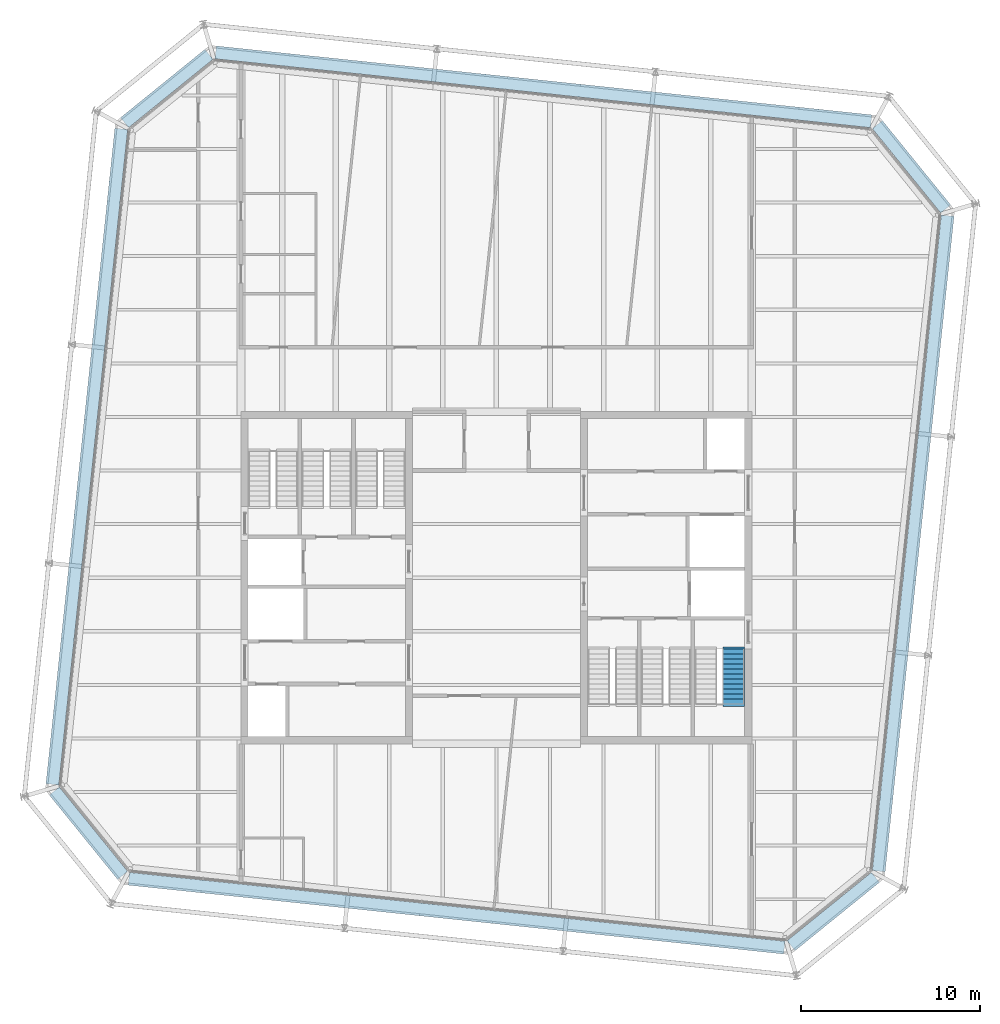
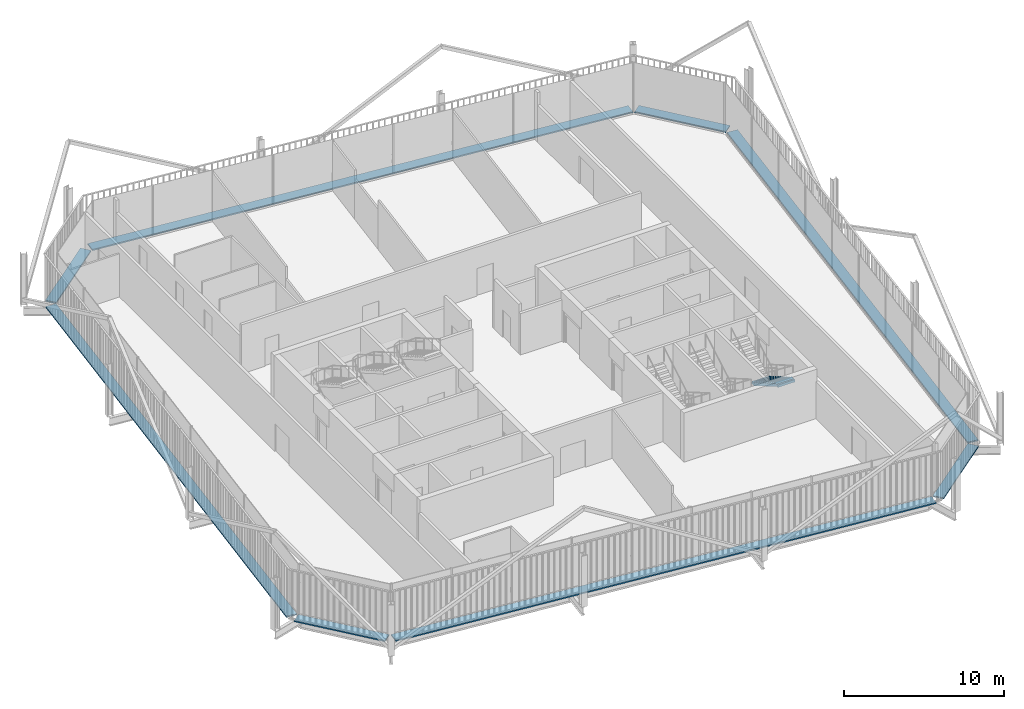
# One storey, part 20 of 21: 8 discrete accessories, 1 stair flight, 1 element without a shape of its own.
"""IFC4 building model written with IfcOpenShell, lengths in metres."""

import ifcopenshell
import ifcopenshell.guid

model = None  # the IFC model being written
_history = None  # IfcOwnerHistory: only IFC2X3 demands one
_inside = {}  # id of a spatial element -> (the spatial element, [elements in it])
_under = {}  # id of a project, library or spatial element -> (it, [spatial elements below it])
_declared = {}  # id of a project -> (the project, [libraries it declares])
_typed = {}  # id of a type object -> (the type object, [elements of that type])
_made_of = {}  # id of a material, layer set ... -> (it, [elements and type objects made of it])


def new_model(schema):
    """Start an empty IFC model of exactly this schema.

    Asked for "IFC4X3", IfcOpenShell would pick the latest addendum, in which some entities
    have other attributes; the version numbers below select the first issue.
    IFC2X3 requires an IfcOwnerHistory on every rooted entity: one is made here for all.
    """
    global model, _history
    if schema == "IFC4X3":
        model = ifcopenshell.file(schema_version=(4, 3, 0, 0))
    else:
        model = ifcopenshell.file(schema=schema)
    _inside.clear()
    _under.clear()
    _declared.clear()
    _typed.clear()
    _made_of.clear()
    _history = None
    if model.schema == "IFC2X3":
        org = make("IfcOrganization", Name="unknown")
        user = make(
            "IfcPersonAndOrganization",
            ThePerson=make("IfcPerson", FamilyName="unknown"),
            TheOrganization=org,
        )
        app = make(
            "IfcApplication",
            ApplicationDeveloper=org,
            Version="unknown",
            ApplicationFullName="unknown",
            ApplicationIdentifier="unknown",
        )
        _history = make(
            "IfcOwnerHistory",
            OwningUser=user,
            OwningApplication=app,
            ChangeAction="ADDED",
            CreationDate=0,
        )
    return model


def make(cls, **values):
    """One entity of the class cls with the attributes given. An attribute that is None is left unset."""
    return model.create_entity(
        cls, **{name: value for name, value in values.items() if value is not None}
    )


def rooted(cls, **values):
    """An entity with a GlobalId (a new one), such as an element, a storey or a relation."""
    return make(cls, GlobalId=ifcopenshell.guid.new(), OwnerHistory=_history, **values)


def si_unit(unit_type, name, prefix=None):
    """IfcSIUnit, for example si_unit("LENGTHUNIT", "METRE", prefix="MILLI")."""
    return make("IfcSIUnit", UnitType=unit_type, Prefix=prefix, Name=name)


def assignment(units):
    """IfcUnitAssignment: the units of a project."""
    return None if units is None else make("IfcUnitAssignment", Units=units)


def point(xyz):
    """IfcCartesianPoint."""
    return None if xyz is None else make("IfcCartesianPoint", Coordinates=xyz)


def direction(xyz):
    """IfcDirection."""
    return None if xyz is None else make("IfcDirection", DirectionRatios=xyz)


def frame(location, z_axis=None, x_axis=None):
    """IfcAxis2Placement3D, a coordinate frame: its origin and axes. An axis left out is left unset."""
    return make(
        "IfcAxis2Placement3D",
        Location=point(location),
        Axis=direction(z_axis),
        RefDirection=direction(x_axis),
    )


def frame_2d(location, x_axis=None):
    """IfcAxis2Placement2D, a coordinate frame in the plane: its origin and x axis."""
    return make(
        "IfcAxis2Placement2D", Location=point(location), RefDirection=direction(x_axis)
    )


def origin():
    """The frame at (0, 0, 0) with its axes left unset."""
    return frame((0.0, 0.0, 0.0))


def origin_2d():
    """The frame at (0, 0) in the plane with its x axis left unset."""
    return frame_2d((0.0, 0.0))


def place(relative_to, where):
    """IfcLocalPlacement: puts the frame where relative to a parent placement (None: the world)."""
    return make(
        "IfcLocalPlacement", PlacementRelTo=relative_to, RelativePlacement=where
    )


def context(
    kind, dimensions, precision=None, world=None, true_north=None, identifier=None
):
    """IfcGeometricRepresentationContext, for example the 3D "Model" context."""
    return make(
        "IfcGeometricRepresentationContext",
        ContextIdentifier=identifier,
        ContextType=kind,
        CoordinateSpaceDimension=dimensions,
        Precision=precision,
        WorldCoordinateSystem=world,
        TrueNorth=true_north,
    )


def subcontext(parent, identifier, kind, view, scale=None):
    """IfcGeometricRepresentationSubContext, for example "Body" below "Model"."""
    return make(
        "IfcGeometricRepresentationSubContext",
        ContextIdentifier=identifier,
        ContextType=kind,
        ParentContext=parent,
        TargetScale=scale,
        TargetView=view,
    )


def project(units=None, contexts=None):
    """IfcProject with its units and contexts."""
    return rooted(
        "IfcProject",
        Name="project",
        RepresentationContexts=contexts,
        UnitsInContext=assignment(units),
    )


def spatial(cls, under=None, at=None, **own):
    """A site, building, storey or space (cls), placed at a placement, below another one or the project."""
    s = rooted(cls, ObjectPlacement=at, **own)
    if under is not None:
        _under.setdefault(under.id(), (under, []))[1].append(s)
    return s


def polyline(points):
    """IfcPolyline through the points."""
    return make("IfcPolyline", Points=[point(p) for p in points])


def profile(cls, at=None, kind="AREA", **sizes):
    """A parametric profile (cls). Its sizes go by their IFC names, for example OverallWidth=200.0."""
    return make(cls, ProfileType=kind, Position=at, **sizes)


def rectangle(**sizes):
    """IfcRectangleProfileDef."""
    return profile("IfcRectangleProfileDef", **sizes)


def outline(outer, holes=None, kind="AREA"):
    """IfcArbitraryClosedProfileDef: a profile drawn as a closed curve; with holes, ...WithVoids."""
    if holes is None:
        return make("IfcArbitraryClosedProfileDef", ProfileType=kind, OuterCurve=outer)
    return make(
        "IfcArbitraryProfileDefWithVoids",
        ProfileType=kind,
        OuterCurve=outer,
        InnerCurves=holes,
    )


def extrude(swept, where, along, depth):
    """IfcExtrudedAreaSolid: the profile swept, set in the frame where, extruded along a direction by depth."""
    return make(
        "IfcExtrudedAreaSolid",
        SweptArea=swept,
        Position=where,
        ExtrudedDirection=direction(along),
        Depth=depth,
    )


def shape(context_of_items, identifier, shape_type, items):
    """IfcShapeRepresentation: the items that make up one representation, for example the "Body"."""
    return make(
        "IfcShapeRepresentation",
        ContextOfItems=context_of_items,
        RepresentationIdentifier=identifier,
        RepresentationType=shape_type,
        Items=items,
    )


def material(Name=None, Category=None):
    """IfcMaterial."""
    return make("IfcMaterial", Name=Name, Category=Category)


def made_of(thing, what):
    """Note that an element or type object is made of a material, layer set ...; save() writes the relation."""
    if what is not None:
        _made_of.setdefault(what.id(), (what, []))[1].append(thing)
    return thing


def type_object(cls, material=None, **own):
    """A type object (cls), such as IfcWallType, which elements share."""
    return made_of(rooted(cls, **own), material)


def element(
    cls,
    number,
    at=None,
    inside=None,
    cuts=None,
    type_object=None,
    material=None,
    context=None,
    identifier="Body",
    shape_type=None,
    held_by="IfcProductDefinitionShape",
    body=None,
    shapes=None,
    **own,
):
    """One element of the class cls, such as IfcWall. Its Tag is "e" and its number.

    at: its placement. inside: the storey or other place that contains it. cuts: it is an
    opening in that element (IfcRelVoidsElement). A single representation is given by context,
    identifier, shape_type and body (its items); several are given by shapes. held_by: the class
    of the entity that holds the representations. save() writes the other relations.
    """
    e = rooted(cls, Tag="e%d" % number, ObjectPlacement=at, **own)
    if body is not None:
        shapes = [shape(context, identifier, shape_type, body)]
    if shapes is not None:
        e.Representation = make(held_by, Representations=shapes)
    if inside is not None:
        _inside.setdefault(inside.id(), (inside, []))[1].append(e)
    if cuts is not None:
        rooted(
            "IfcRelVoidsElement", RelatingBuildingElement=cuts, RelatedOpeningElement=e
        )
    if type_object is not None:
        _typed.setdefault(type_object.id(), (type_object, []))[1].append(e)
    return made_of(e, material)


def aggregate(whole, parts):
    """IfcRelAggregates: a whole, such as a stair, and the parts it consists of."""
    return rooted("IfcRelAggregates", RelatingObject=whole, RelatedObjects=parts)


def save(model, path):
    """Write the relations noted so far, then the file.

    IfcRelAggregates (storeys below a building ...), IfcRelContainedInSpatialStructure (elements
    in a storey), IfcRelDefinesByType, IfcRelAssociatesMaterial and IfcRelDeclares: one each for
    every whole, place, type object, material and project.
    """
    for whole, parts in _under.values():
        aggregate(whole, parts)
    for where, things in _inside.values():
        rooted(
            "IfcRelContainedInSpatialStructure",
            RelatedElements=things,
            RelatingStructure=where,
        )
    for kind, things in _typed.values():
        rooted("IfcRelDefinesByType", RelatedObjects=things, RelatingType=kind)
    for what, things in _made_of.values():
        rooted("IfcRelAssociatesMaterial", RelatedObjects=things, RelatingMaterial=what)
    for by, libraries in _declared.values():
        rooted("IfcRelDeclares", RelatingContext=by, RelatedDefinitions=libraries)
    model.write(path)


model = new_model("IFC4")

# Units and contexts
model_context = context("Model", 3, precision=1e-05, world=origin(), true_north=direction((0.0, 1.0)))
body_context = subcontext(model_context, "Body", "Model", "MODEL_VIEW")
ifc_project = project(units=[si_unit("LENGTHUNIT", "METRE"), si_unit("AREAUNIT", "SQUARE_METRE"), si_unit("VOLUMEUNIT", "CUBIC_METRE"), si_unit("PLANEANGLEUNIT", "RADIAN"), si_unit("MASSUNIT", "GRAM", prefix="KILO")], contexts=[model_context])

# Site, building, storey
site_placement = place(None, origin())
site = spatial("IfcSite", under=ifc_project, at=site_placement, CompositionType="ELEMENT")
building_placement = place(site_placement, origin())
building = spatial("IfcBuilding", under=site, at=building_placement, Name="Millrace Tower", CompositionType="ELEMENT")
storey_placement = place(building_placement, frame((0.0, 0.0, 334.300048828125)))
storey = spatial("IfcBuildingStorey", under=building, at=storey_placement, Name="L77", CompositionType="ELEMENT", Elevation=334.300048828125)

# Stair, stair flight
ifc_material_1 = material(Name="Concrete C35", Category="concrete")
stair_type = type_object("IfcStairType", Name="Exit stair", PredefinedType="HALF_TURN_STAIR", material=ifc_material_1)
stair_placement = place(storey_placement, origin())
stair = element("IfcStair", 1, at=stair_placement, inside=storey, type_object=stair_type, Name="Stair 1 E L77", PredefinedType="HALF_TURN_STAIR")
ifc_material_2 = material(Name="Concrete C35", Category="concrete")
stair_flight_type = type_object("IfcStairFlightType", Name="Exit stair flight", PredefinedType="STRAIGHT", material=ifc_material_2)
stair_flight_placement = place(storey_placement, frame((13.2900390625, -4.0, 0.0), z_axis=(0.0, 0.0, 1.0), x_axis=(0.0, -1.0, 0.0)))
stair_flight = element("IfcStairFlight", 2, at=stair_flight_placement, type_object=stair_flight_type, Name="ST12 flight 1", NumberOfRisers=12, NumberOfTreads=11, PredefinedType="STRAIGHT", RiserHeight=0.1625, TreadLength=0.28, context=body_context, shape_type="SweptSolid", body=[
    extrude(outline(polyline([(-0.1201171875, -0.0400390625), (-0.1201171875, 0.0), (0.0, 0.0), (0.0, 0.16259765625), (0.280029296875, 0.16259765625), (0.280029296875, 0.324951171875), (0.56005859375, 0.324951171875), (0.56005859375, 0.487548828125), (0.840087890625, 0.487548828125), (0.840087890625, 0.64990234375), (1.1201171875, 0.64990234375), (1.1201171875, 0.8125), (1.39990234375, 0.8125), (1.39990234375, 0.97509765625), (1.679931640625, 0.97509765625), (1.679931640625, 1.137451171875), (1.9599609375, 1.137451171875), (1.9599609375, 1.300048828125), (2.239990234375, 1.300048828125), (2.239990234375, 1.46240234375), (2.52001953125, 1.46240234375), (2.52001953125, 1.625), (2.800048828125, 1.625), (2.800048828125, 1.78759765625), (3.080078125, 1.78759765625), (3.080078125, 1.8076171875), (3.199951171875, 1.8076171875), (3.199951171875, 1.6142578125), (3.080078125, 1.6142578125), (0.298583984375, 0.0), (0.298583984375, -0.0400390625), (-0.1201171875, -0.0400390625)])), frame((0.0, 0.60986328125, 0.0), z_axis=(0.0, -1.0, 0.0), x_axis=(1.0, 0.0, 0.0)), (0.0, 0.0, 1.0), 1.219970703125),
])
aggregate(stair, [stair_flight])

# Discrete accessories
ifc_material_3 = material(Name="Stainless steel ASTM A240 type 316", Category="steel")
discrete_accessory_type = type_object("IfcDiscreteAccessoryType", Name="Thermally broken screen support rail", PredefinedType="BRACKET", material=ifc_material_3)
discrete_accessory_1_placement = place(storey_placement, frame((-22.836669921875, -14.304931640625, 0.0), z_axis=(0.0, 0.0, 1.0), x_axis=(0.629320278945, -0.777146052237, 0.0)))
element("IfcDiscreteAccessory", 3, at=discrete_accessory_1_placement, inside=storey, type_object=discrete_accessory_type, Name="Thermally broken screen support rail E-F01 L77 1", PredefinedType="BRACKET", context=body_context, shape_type="SweptSolid", body=[
    extrude(rectangle(XDim=6.0810546875, YDim=0.719970703125, at=origin_2d()), origin(), (0.0, 0.0, 1.0), 0.10009765625),
])
discrete_accessory_2_placement = place(storey_placement, frame((-2.2314453125, -18.782470703125, 0.0), z_axis=(0.0, 0.0, 1.0), x_axis=(0.994521896217, -0.104528455196, 0.0)))
element("IfcDiscreteAccessory", 4, at=discrete_accessory_2_placement, inside=storey, type_object=discrete_accessory_type, Name="Thermally broken screen support rail E-F02 L77 1", PredefinedType="BRACKET", context=body_context, shape_type="SweptSolid", body=[
    extrude(rectangle(XDim=36.89990234375, YDim=0.719970703125, at=origin_2d()), origin(), (0.0, 0.0, 1.0), 0.10009765625),
])
discrete_accessory_3_placement = place(storey_placement, frame((18.854736328125, -18.686767578125, 0.0), z_axis=(0.0, 0.0, 1.0), x_axis=(0.777146052237, 0.629320278945, 0.0)))
element("IfcDiscreteAccessory", 5, at=discrete_accessory_3_placement, inside=storey, type_object=discrete_accessory_type, Name="Thermally broken screen support rail E-F03 L77 1", PredefinedType="BRACKET", context=body_context, shape_type="SweptSolid", body=[
    extrude(rectangle(XDim=6.0810546875, YDim=0.719970703125, at=origin_2d()), origin(), (0.0, 0.0, 1.0), 0.10009765625),
])
discrete_accessory_4_placement = place(storey_placement, frame((23.33251953125, 1.918701171875, 0.0), z_axis=(0.0, 0.0, 1.0), x_axis=(0.104528455196, 0.994521896217, 0.0)))
element("IfcDiscreteAccessory", 6, at=discrete_accessory_4_placement, inside=storey, type_object=discrete_accessory_type, Name="Thermally broken screen support rail E-F04 L77 1", PredefinedType="BRACKET", context=body_context, shape_type="SweptSolid", body=[
    extrude(rectangle(XDim=36.89990234375, YDim=0.719970703125, at=origin_2d()), origin(), (0.0, 0.0, 1.0), 0.10009765625),
])
discrete_accessory_5_placement = place(storey_placement, frame((23.23681640625, 23.0048828125, 0.0), z_axis=(0.0, 0.0, 1.0), x_axis=(-0.629320278945, 0.777146052237, 0.0)))
element("IfcDiscreteAccessory", 7, at=discrete_accessory_5_placement, inside=storey, type_object=discrete_accessory_type, Name="Thermally broken screen support rail E-F05 L77 1", PredefinedType="BRACKET", context=body_context, shape_type="SweptSolid", body=[
    extrude(rectangle(XDim=6.0810546875, YDim=0.719970703125, at=origin_2d()), origin(), (0.0, 0.0, 1.0), 0.10009765625),
])
discrete_accessory_6_placement = place(storey_placement, frame((2.63134765625, 27.482666015625, 0.0), z_axis=(0.0, 0.0, 1.0), x_axis=(-0.994521896217, 0.104528455196, 0.0)))
element("IfcDiscreteAccessory", 8, at=discrete_accessory_6_placement, inside=storey, type_object=discrete_accessory_type, Name="Thermally broken screen support rail E-F06 L77 1", PredefinedType="BRACKET", context=body_context, shape_type="SweptSolid", body=[
    extrude(rectangle(XDim=36.89990234375, YDim=0.719970703125, at=origin_2d()), origin(), (0.0, 0.0, 1.0), 0.10009765625),
])
discrete_accessory_7_placement = place(storey_placement, frame((-18.454833984375, 27.38671875, 0.0), z_axis=(0.0, 0.0, 1.0), x_axis=(-0.777146052237, -0.629320278945, 0.0)))
element("IfcDiscreteAccessory", 9, at=discrete_accessory_7_placement, inside=storey, type_object=discrete_accessory_type, Name="Thermally broken screen support rail E-F07 L77 1", PredefinedType="BRACKET", context=body_context, shape_type="SweptSolid", body=[
    extrude(rectangle(XDim=6.0810546875, YDim=0.719970703125, at=origin_2d()), origin(), (0.0, 0.0, 1.0), 0.10009765625),
])
discrete_accessory_8_placement = place(storey_placement, frame((-22.9326171875, 6.78125, 0.0), z_axis=(0.0, 0.0, 1.0), x_axis=(-0.104528455196, -0.994521896217, 0.0)))
element("IfcDiscreteAccessory", 10, at=discrete_accessory_8_placement, inside=storey, type_object=discrete_accessory_type, Name="Thermally broken screen support rail E-F08 L77 1", PredefinedType="BRACKET", context=body_context, shape_type="SweptSolid", body=[
    extrude(rectangle(XDim=36.89990234375, YDim=0.719970703125, at=origin_2d()), origin(), (0.0, 0.0, 1.0), 0.10009765625),
])

save(model, "model.ifc")
